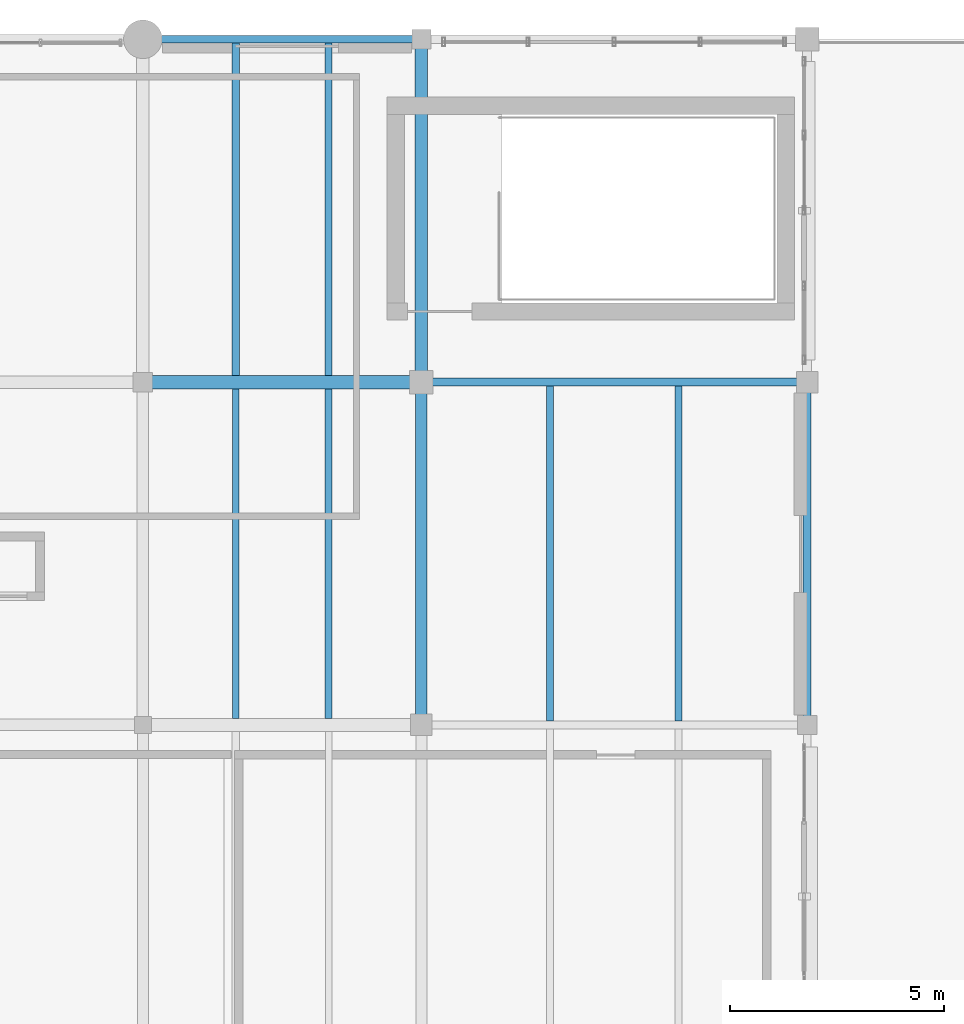
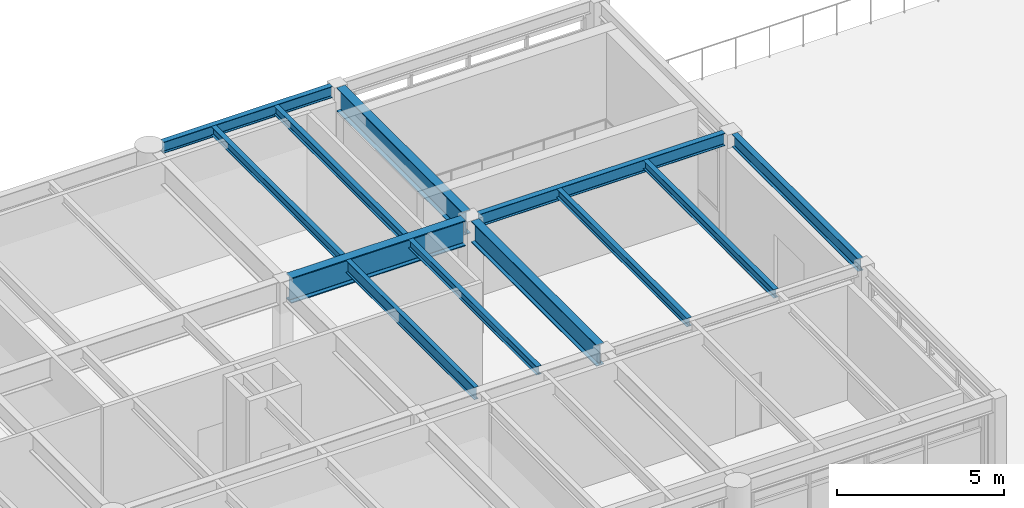
# One storey, part 82 of 168: 12 beams.
"""IFC4 building model written with IfcOpenShell, lengths in metres."""

from ifc_helpers import new_model, si_unit, direction, frame, origin, origin_2d, place, context, subcontext, project, spatial, i_section, extrude, material, material_profile, profile_set, type_object, element, save


model = new_model("IFC4")

# Units and contexts
model_context = context("Model", 3, precision=1e-05, world=origin(), true_north=direction((0.0, 1.0)))
body_context = subcontext(model_context, "Body", "Model", "MODEL_VIEW")
ifc_project = project(units=[si_unit("LENGTHUNIT", "METRE"), si_unit("AREAUNIT", "SQUARE_METRE"), si_unit("VOLUMEUNIT", "CUBIC_METRE"), si_unit("PLANEANGLEUNIT", "RADIAN"), si_unit("MASSUNIT", "GRAM", prefix="KILO"), si_unit("THERMODYNAMICTEMPERATUREUNIT", "KELVIN"), si_unit("POWERUNIT", "WATT")], contexts=[model_context])

# Site, building, storey
site_placement = place(None, origin())
site = spatial("IfcSite", under=ifc_project, at=site_placement, CompositionType="ELEMENT")
building_placement = place(site_placement, origin())
building = spatial("IfcBuilding", under=site, at=building_placement, Name="Tepalcoro Natatorium and Aquatics Centre", CompositionType="ELEMENT")
storey_placement = place(building_placement, frame((0.0, 0.0, 10.199951171875)))
storey = spatial("IfcBuildingStorey", under=building, at=storey_placement, Name="L02", CompositionType="ELEMENT", Elevation=10.199951171875)

# Beams
ifc_material = material(Name="Steel ASTM A992 Grade 50 (Fy 345 MPa)", Category="steel")
ifc_material_profile_1 = material_profile(ifc_material, i_section(OverallWidth=0.19091796875, OverallDepth=0.45703125, WebThickness=0.009033203125, FlangeThickness=0.013916015625, FilletRadius=0.013916015625, at=origin_2d()), Name="W18X50")
ifc_profile_set_1 = profile_set([ifc_material_profile_1], Name="Steel ASTM A992 Grade 50 (Fy 345 MPa)")
beam_type_1 = type_object("IfcBeamType", Name="BM_W18x50", PredefinedType="BEAM", material=ifc_profile_set_1)
beam_1_placement = place(storey_placement, frame((53.260009765625, 110.0, 4.006591796875), z_axis=(1.0, 0.0, 0.0), x_axis=(0.0, 1.0, 0.0)))
element("IfcBeam", 1, at=beam_1_placement, inside=storey, type_object=beam_type_1, Name="V4 L02 Grid Girder X", PredefinedType="BEAM", context=body_context, shape_type="SweptSolid", body=[
    extrude(i_section(OverallWidth=0.19091796875, OverallDepth=0.45703125, WebThickness=0.009033203125, FlangeThickness=0.013916015625, FilletRadius=0.013916015625, at=origin_2d()), origin(), (0.0, 0.0, 1.0), 8.5048828125),
])
ifc_material_profile_2 = material_profile(ifc_material, i_section(OverallWidth=0.26708984375, OverallDepth=0.780029296875, WebThickness=0.01708984375, FlangeThickness=0.030029296875, FilletRadius=0.013916015625, at=origin_2d()), Name="W30X148")
ifc_profile_set_2 = profile_set([ifc_material_profile_2], Name="Steel ASTM A992 Grade 50 (Fy 345 MPa)")
beam_type_2 = type_object("IfcBeamType", Name="BM_W30x148", PredefinedType="BEAM", material=ifc_profile_set_2)
beam_2_placement = place(storey_placement, frame((53.0, 102.235107421875, 3.844970703125), z_axis=(0.0, 1.0, 0.0), x_axis=(-1.0, 0.0, 0.0)))
element("IfcBeam", 2, at=beam_2_placement, inside=storey, type_object=beam_type_2, Name="V4 L02 Grid Girder Y", PredefinedType="BEAM", context=body_context, shape_type="SweptSolid", body=[
    extrude(i_section(OverallWidth=0.26708984375, OverallDepth=0.780029296875, WebThickness=0.01708984375, FlangeThickness=0.030029296875, FilletRadius=0.013916015625, at=origin_2d()), origin(), (0.0, 0.0, 1.0), 7.5048828125),
])
ifc_material_profile_3 = material_profile(ifc_material, i_section(OverallWidth=0.2919921875, OverallDepth=0.85888671875, WebThickness=0.01708984375, FlangeThickness=0.031005859375, FilletRadius=0.013916015625, at=origin_2d()), Name="W33X169")
ifc_profile_set_3 = profile_set([ifc_material_profile_3], Name="Steel ASTM A992 Grade 50 (Fy 345 MPa)")
beam_type_3 = type_object("IfcBeamType", Name="BM_W33x169", PredefinedType="BEAM", material=ifc_profile_set_3)
beam_3_placement = place(storey_placement, frame((53.0, 110.260009765625, 3.8056640625), z_axis=(0.0, 1.0, 0.0), x_axis=(-1.0, 0.0, 0.0)))
element("IfcBeam", 3, at=beam_3_placement, inside=storey, type_object=beam_type_3, Name="V4 L02 Grid Girder Y", PredefinedType="BEAM", context=body_context, shape_type="SweptSolid", body=[
    extrude(i_section(OverallWidth=0.2919921875, OverallDepth=0.85888671875, WebThickness=0.01708984375, FlangeThickness=0.031005859375, FilletRadius=0.013916015625, at=origin_2d()), origin(), (0.0, 0.0, 1.0), 7.530029296875),
])
ifc_material_profile_4 = material_profile(ifc_material, i_section(OverallWidth=0.31005859375, OverallDepth=0.931884765625, WebThickness=0.02099609375, FlangeThickness=0.034912109375, FilletRadius=0.013916015625, at=origin_2d()), Name="W36X210")
ifc_profile_set_4 = profile_set([ifc_material_profile_4], Name="Steel ASTM A992 Grade 50 (Fy 345 MPa)")
beam_type_4 = type_object("IfcBeamType", Name="BM_W36x210", PredefinedType="BEAM", material=ifc_profile_set_4)
beam_4_placement = place(storey_placement, frame((46.7099609375, 110.0, 3.76904296875), z_axis=(1.0, 0.0, 0.0), x_axis=(0.0, 1.0, 0.0)))
element("IfcBeam", 4, at=beam_4_placement, inside=storey, type_object=beam_type_4, Name="V4 L02 Grid Girder X", PredefinedType="BEAM", context=body_context, shape_type="SweptSolid", body=[
    extrude(i_section(OverallWidth=0.31005859375, OverallDepth=0.931884765625, WebThickness=0.02099609375, FlangeThickness=0.034912109375, FilletRadius=0.013916015625, at=origin_2d()), origin(), (0.0, 0.0, 1.0), 6.030029296875),
])
ifc_material_profile_5 = material_profile(ifc_material, i_section(OverallWidth=0.1650390625, OverallDepth=0.31005859375, WebThickness=0.006103515625, FlangeThickness=0.010009765625, FilletRadius=0.013916015625, at=origin_2d()), Name="W12X26")
ifc_profile_set_5 = profile_set([ifc_material_profile_5], Name="Steel ASTM A992 Grade 50 (Fy 345 MPa)")
beam_type_5 = type_object("IfcBeamType", Name="JS_W12x26", PredefinedType="JOIST", material=ifc_profile_set_5)
beam_5_placement = place(storey_placement, frame((50.833251953125, 102.152587890625, 4.080078125), z_axis=(0.0, 1.0, 0.0), x_axis=(-1.0, 0.0, 0.0)))
element("IfcBeam", 5, at=beam_5_placement, inside=storey, type_object=beam_type_5, Name="V4 L02 Floor Joist", PredefinedType="JOIST", context=body_context, shape_type="SweptSolid", body=[
    extrude(i_section(OverallWidth=0.1650390625, OverallDepth=0.31005859375, WebThickness=0.006103515625, FlangeThickness=0.010009765625, FilletRadius=0.013916015625, at=origin_2d()), origin(), (0.0, 0.0, 1.0), 7.6923828125),
])
beam_6_placement = place(storey_placement, frame((48.666748046875, 110.155029296875, 4.080078125), z_axis=(0.0, 1.0, 0.0), x_axis=(-1.0, 0.0, 0.0)))
element("IfcBeam", 6, at=beam_6_placement, inside=storey, type_object=beam_type_5, Name="V4 L02 Floor Joist", PredefinedType="JOIST", context=body_context, shape_type="SweptSolid", body=[
    extrude(i_section(OverallWidth=0.1650390625, OverallDepth=0.31005859375, WebThickness=0.006103515625, FlangeThickness=0.010009765625, FilletRadius=0.013916015625, at=origin_2d()), origin(), (0.0, 0.0, 1.0), 7.7548828125),
])
beam_7_placement = place(storey_placement, frame((56.0, 102.089111328125, 4.080078125), z_axis=(0.0, 1.0, 0.0), x_axis=(-1.0, 0.0, 0.0)))
element("IfcBeam", 7, at=beam_7_placement, inside=storey, type_object=beam_type_5, Name="V4 L02 Floor Joist", PredefinedType="JOIST", context=body_context, shape_type="SweptSolid", body=[
    extrude(i_section(OverallWidth=0.1650390625, OverallDepth=0.31005859375, WebThickness=0.006103515625, FlangeThickness=0.010009765625, FilletRadius=0.013916015625, at=origin_2d()), origin(), (0.0, 0.0, 1.0), 7.8154296875),
])
ifc_material_profile_6 = material_profile(ifc_material, i_section(OverallWidth=0.1669921875, OverallDepth=0.318115234375, WebThickness=0.008056640625, FlangeThickness=0.012939453125, FilletRadius=0.013916015625, at=origin_2d()), Name="W12X35")
ifc_profile_set_6 = profile_set([ifc_material_profile_6], Name="Steel ASTM A992 Grade 50 (Fy 345 MPa)")
beam_type_6 = type_object("IfcBeamType", Name="JS_W12x35", PredefinedType="JOIST", material=ifc_profile_set_6)
beam_8_placement = place(storey_placement, frame((50.833251953125, 110.155029296875, 4.075927734375), z_axis=(0.0, 1.0, 0.0), x_axis=(-1.0, 0.0, 0.0)))
element("IfcBeam", 8, at=beam_8_placement, inside=storey, type_object=beam_type_6, Name="V4 L02 Floor Joist", PredefinedType="JOIST", context=body_context, shape_type="SweptSolid", body=[
    extrude(i_section(OverallWidth=0.1669921875, OverallDepth=0.318115234375, WebThickness=0.008056640625, FlangeThickness=0.012939453125, FilletRadius=0.013916015625, at=origin_2d()), origin(), (0.0, 0.0, 1.0), 7.7548828125),
])
beam_9_placement = place(storey_placement, frame((59.0, 102.089111328125, 4.075927734375), z_axis=(0.0, 1.0, 0.0), x_axis=(-1.0, 0.0, 0.0)))
element("IfcBeam", 9, at=beam_9_placement, inside=storey, type_object=beam_type_6, Name="V4 L02 Floor Joist", PredefinedType="JOIST", context=body_context, shape_type="SweptSolid", body=[
    extrude(i_section(OverallWidth=0.1669921875, OverallDepth=0.318115234375, WebThickness=0.008056640625, FlangeThickness=0.012939453125, FilletRadius=0.013916015625, at=origin_2d()), origin(), (0.0, 0.0, 1.0), 7.8154296875),
])
ifc_material_profile_7 = material_profile(ifc_material, i_section(OverallWidth=0.153076171875, OverallDepth=0.455078125, WebThickness=0.008056640625, FlangeThickness=0.012939453125, FilletRadius=0.013916015625, at=origin_2d()), Name="W18X40")
ifc_profile_set_7 = profile_set([ifc_material_profile_7], Name="Steel ASTM A992 Grade 50 (Fy 345 MPa)")
beam_type_7 = type_object("IfcBeamType", Name="JS_W18x40", PredefinedType="JOIST", material=ifc_profile_set_7)
beam_10_placement = place(storey_placement, frame((48.666748046875, 102.152587890625, 4.007568359375), z_axis=(0.0, 1.0, 0.0), x_axis=(-1.0, 0.0, 0.0)))
element("IfcBeam", 10, at=beam_10_placement, inside=storey, type_object=beam_type_7, Name="V4 L02 Floor Joist", PredefinedType="JOIST", context=body_context, shape_type="SweptSolid", body=[
    extrude(i_section(OverallWidth=0.153076171875, OverallDepth=0.455078125, WebThickness=0.008056640625, FlangeThickness=0.012939453125, FilletRadius=0.013916015625, at=origin_2d()), origin(), (0.0, 0.0, 1.0), 7.6923828125),
])
ifc_material_profile_8 = material_profile(ifc_material, i_section(OverallWidth=0.179931640625, OverallDepth=0.4130859375, WebThickness=0.010009765625, FlangeThickness=0.01611328125, FilletRadius=0.013916015625, at=origin_2d()), Name="W16X50")
ifc_profile_set_8 = profile_set([ifc_material_profile_8], Name="Steel ASTM A992 Grade 50 (Fy 345 MPa)")
beam_type_8 = type_object("IfcBeamType", Name="SP_HSS300x200x12", PredefinedType="SPANDREL", material=ifc_profile_set_8)
beam_11_placement = place(storey_placement, frame((46.93505859375, 118.0, 4.028564453125), z_axis=(1.0, 0.0, 0.0), x_axis=(0.0, 1.0, 0.0)))
element("IfcBeam", 11, at=beam_11_placement, inside=storey, type_object=beam_type_8, Name="V4 L02 Grid Girder X", PredefinedType="SPANDREL", context=body_context, shape_type="SweptSolid", body=[
    extrude(i_section(OverallWidth=0.179931640625, OverallDepth=0.4130859375, WebThickness=0.010009765625, FlangeThickness=0.01611328125, FilletRadius=0.013916015625, at=origin_2d()), origin(), (0.0, 0.0, 1.0), 5.85498046875),
])
ifc_material_profile_9 = material_profile(ifc_material, i_section(OverallWidth=0.19091796875, OverallDepth=0.4599609375, WebThickness=0.010009765625, FlangeThickness=0.01611328125, FilletRadius=0.013916015625, at=origin_2d()), Name="W18X55")
ifc_profile_set_9 = profile_set([ifc_material_profile_9], Name="Steel ASTM A992 Grade 50 (Fy 345 MPa)")
beam_type_9 = type_object("IfcBeamType", Name="SP_W18x55", PredefinedType="SPANDREL", material=ifc_profile_set_9)
beam_12_placement = place(storey_placement, frame((62.0, 102.2099609375, 4.005126953125), z_axis=(0.0, 1.0, 0.0), x_axis=(-1.0, 0.0, 0.0)))
element("IfcBeam", 12, at=beam_12_placement, inside=storey, type_object=beam_type_9, Name="V4 L02 Grid Girder Y", PredefinedType="SPANDREL", context=body_context, shape_type="SweptSolid", body=[
    extrude(i_section(OverallWidth=0.19091796875, OverallDepth=0.4599609375, WebThickness=0.010009765625, FlangeThickness=0.01611328125, FilletRadius=0.013916015625, at=origin_2d()), origin(), (0.0, 0.0, 1.0), 7.554931640625),
])

save(model, "model.ifc")
